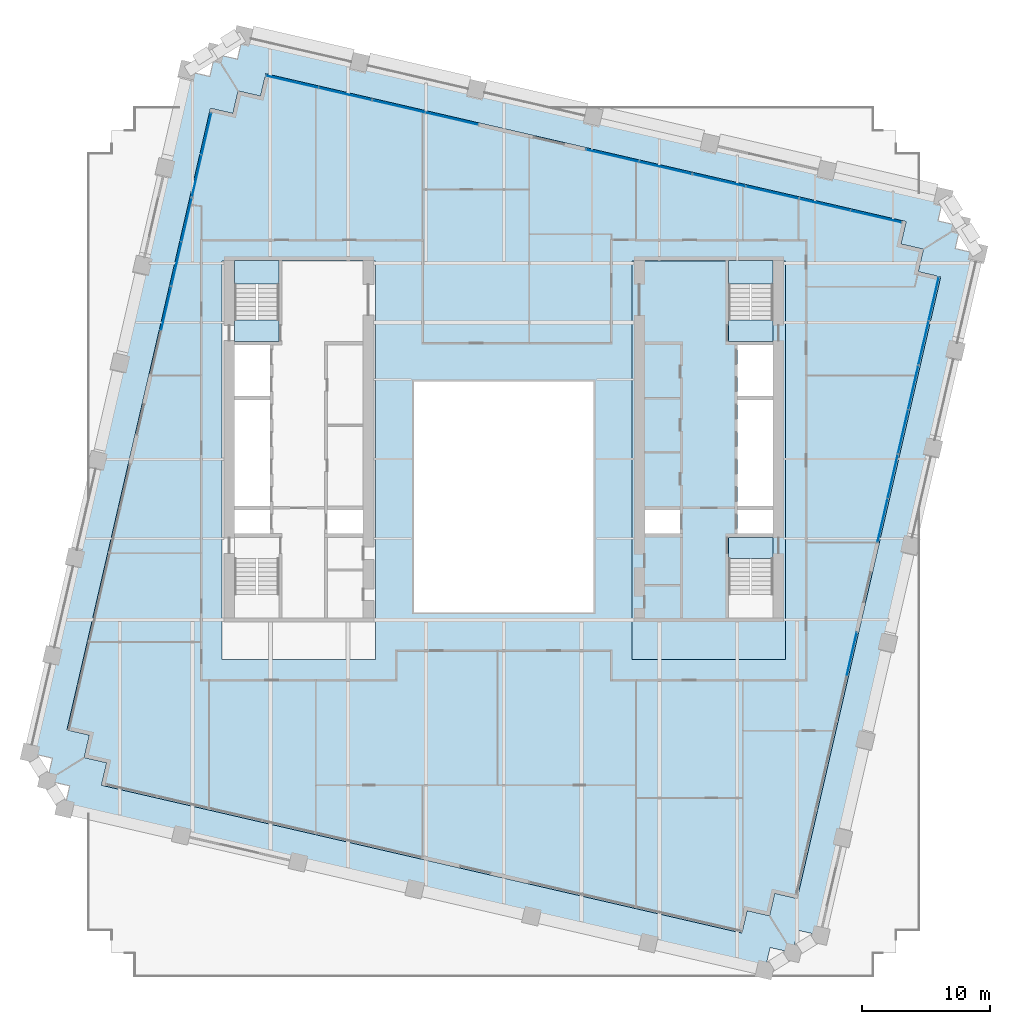
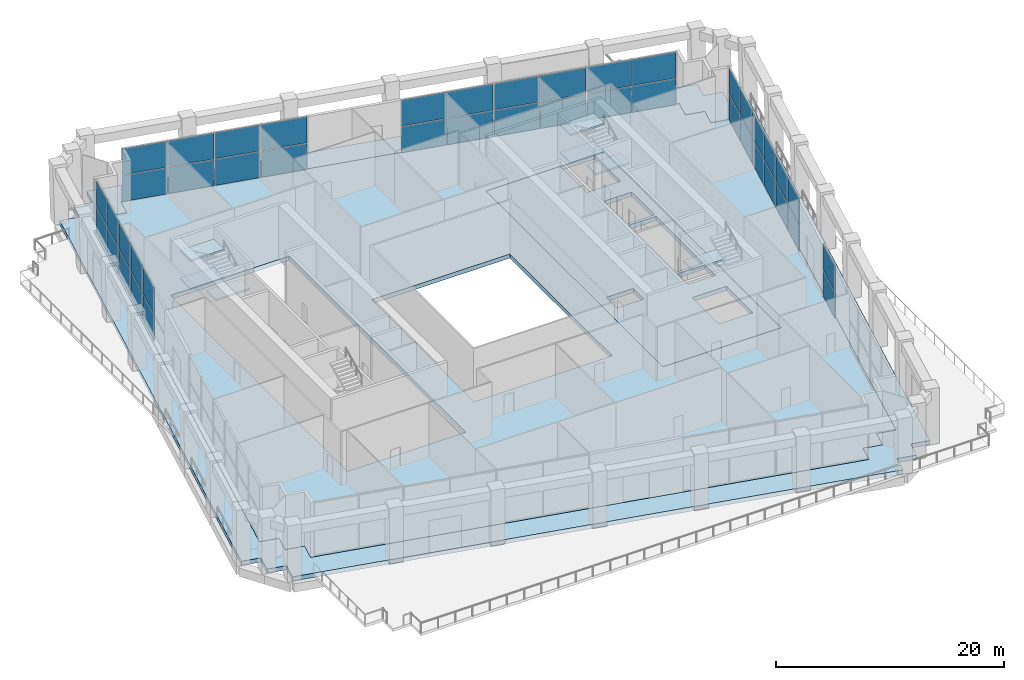
# One storey, part 13 of 23: 44 plates, 10 slabs, 15 elements without a shape of their own.
"""IFC4 building model written with IfcOpenShell, lengths in metres."""

from ifc_helpers import new_model, si_unit, direction, frame, origin, origin_2d, place, context, subcontext, project, spatial, polyline, rectangle, outline, extrude, material, layer, layer_set, type_object, element, aggregate, save


model = new_model("IFC4")

# Units and contexts
model_context = context("Model", 3, precision=1e-05, world=origin(), true_north=direction((0.0, 1.0)))
body_context = subcontext(model_context, "Body", "Model", "MODEL_VIEW")
ifc_project = project(units=[si_unit("LENGTHUNIT", "METRE"), si_unit("AREAUNIT", "SQUARE_METRE"), si_unit("VOLUMEUNIT", "CUBIC_METRE"), si_unit("PLANEANGLEUNIT", "RADIAN"), si_unit("MASSUNIT", "GRAM", prefix="KILO")], contexts=[model_context])

# Site, building, storey
site_placement = place(None, origin())
site = spatial("IfcSite", under=ifc_project, at=site_placement, CompositionType="ELEMENT")
building_placement = place(site_placement, origin())
building = spatial("IfcBuilding", under=site, at=building_placement, Name="Ogive Exchange Tower", CompositionType="ELEMENT")
storey_placement = place(building_placement, frame((0.0, 0.0, 99.60009765625)))
storey = spatial("IfcBuildingStorey", under=building, at=storey_placement, Name="L21", CompositionType="ELEMENT", Elevation=99.60009765625)

# Curtain wall, plates
ifc_material_1 = material(Name="Anodised aluminium and clear glass", Category="aluminium")
curtain_wall_type = type_object("IfcCurtainWallType", Name="Sky lobby glazing", PredefinedType="NOTDEFINED", material=ifc_material_1)
curtain_wall_1_placement = place(storey_placement, origin())
curtain_wall_1 = element("IfcCurtainWall", 1, at=curtain_wall_1_placement, inside=storey, type_object=curtain_wall_type, Name="Sky lobby glazing run G9", PredefinedType="NOTDEFINED")
ifc_material_2 = material(Name="Clear glass", Category="glass")
ifc_layer_1 = layer(ifc_material_2, 0.031982421875)
ifc_layer_set_1 = layer_set([ifc_layer_1], Name="Clear low-emissivity glass panel 32")
plate_type = type_object("IfcPlateType", Name="Clear low-emissivity glass panel 32", PredefinedType="CURTAIN_PANEL", material=ifc_layer_set_1)
plate_1_placement = place(storey_placement, frame((27.14990234375, -5.261962890625, 0.06982421875), z_axis=(0.0, 0.0, 1.0), x_axis=(0.224953950051, 0.974369396254, 0.0)))
plate_1 = element("IfcPlate", 2, at=plate_1_placement, type_object=plate_type, Name="G9 panel 2.1", PredefinedType="CURTAIN_PANEL", context=body_context, shape_type="SweptSolid", body=[
    extrude(rectangle(XDim=3.4521484375, YDim=0.031982421875, at=origin_2d()), origin(), (0.0, 0.0, 1.0), 2.794921875),
])
plate_2_placement = place(storey_placement, frame((27.14990234375, -5.261962890625, 2.93505859375), z_axis=(0.0, 0.0, 1.0), x_axis=(0.224953950051, 0.974369396254, 0.0)))
plate_2 = element("IfcPlate", 3, at=plate_2_placement, type_object=plate_type, Name="G9 panel 2.2", PredefinedType="CURTAIN_PANEL", context=body_context, shape_type="SweptSolid", body=[
    extrude(rectangle(XDim=3.4521484375, YDim=0.031982421875, at=origin_2d()), origin(), (0.0, 0.0, 1.0), 2.794921875),
])
aggregate(curtain_wall_1, [plate_1, plate_2])

curtain_wall_2_placement = place(storey_placement, origin())
curtain_wall_2 = element("IfcCurtainWall", 4, at=curtain_wall_2_placement, inside=storey, type_object=curtain_wall_type, Name="Sky lobby glazing run G11", PredefinedType="NOTDEFINED")
plate_3_placement = place(storey_placement, frame((29.558349609375, 5.169921875, 0.06982421875), z_axis=(0.0, 0.0, 1.0), x_axis=(0.224943685993, 0.974371765874, 0.0)))
plate_3 = element("IfcPlate", 5, at=plate_3_placement, type_object=plate_type, Name="G11 panel 1.1", PredefinedType="CURTAIN_PANEL", context=body_context, shape_type="SweptSolid", body=[
    extrude(rectangle(XDim=3.4521484375, YDim=0.031982421875, at=origin_2d()), origin(), (0.0, 0.0, 1.0), 2.794921875),
])
plate_4_placement = place(storey_placement, frame((29.558349609375, 5.169921875, 2.93505859375), z_axis=(0.0, 0.0, 1.0), x_axis=(0.224943685993, 0.974371765874, 0.0)))
plate_4 = element("IfcPlate", 6, at=plate_4_placement, type_object=plate_type, Name="G11 panel 1.2", PredefinedType="CURTAIN_PANEL", context=body_context, shape_type="SweptSolid", body=[
    extrude(rectangle(XDim=3.4521484375, YDim=0.031982421875, at=origin_2d()), origin(), (0.0, 0.0, 1.0), 2.794921875),
])
plate_5_placement = place(storey_placement, frame((30.3505859375, 8.601806640625, 0.06982421875), z_axis=(0.0, 0.0, 1.0), x_axis=(0.224943685993, 0.974371765874, 0.0)))
plate_5 = element("IfcPlate", 7, at=plate_5_placement, type_object=plate_type, Name="G11 panel 2.1", PredefinedType="CURTAIN_PANEL", context=body_context, shape_type="SweptSolid", body=[
    extrude(rectangle(XDim=3.4521484375, YDim=0.031982421875, at=origin_2d()), origin(), (0.0, 0.0, 1.0), 2.794921875),
])
plate_6_placement = place(storey_placement, frame((30.3505859375, 8.601806640625, 2.93505859375), z_axis=(0.0, 0.0, 1.0), x_axis=(0.224943685993, 0.974371765874, 0.0)))
plate_6 = element("IfcPlate", 8, at=plate_6_placement, type_object=plate_type, Name="G11 panel 2.2", PredefinedType="CURTAIN_PANEL", context=body_context, shape_type="SweptSolid", body=[
    extrude(rectangle(XDim=3.4521484375, YDim=0.031982421875, at=origin_2d()), origin(), (0.0, 0.0, 1.0), 2.794921875),
])
aggregate(curtain_wall_2, [plate_3, plate_4, plate_5, plate_6])

curtain_wall_3_placement = place(storey_placement, origin())
curtain_wall_3 = element("IfcCurtainWall", 9, at=curtain_wall_3_placement, inside=storey, type_object=curtain_wall_type, Name="Sky lobby glazing run G12", PredefinedType="NOTDEFINED")
plate_7_placement = place(storey_placement, frame((31.15869140625, 12.101806640625, 0.06982421875), z_axis=(0.0, 0.0, 1.0), x_axis=(0.224953950051, 0.974369396254, 0.0)))
plate_7 = element("IfcPlate", 10, at=plate_7_placement, type_object=plate_type, Name="G12 panel 1.1", PredefinedType="CURTAIN_PANEL", context=body_context, shape_type="SweptSolid", body=[
    extrude(rectangle(XDim=3.4521484375, YDim=0.031982421875, at=origin_2d()), origin(), (0.0, 0.0, 1.0), 2.794921875),
])
plate_8_placement = place(storey_placement, frame((31.15869140625, 12.101806640625, 2.93505859375), z_axis=(0.0, 0.0, 1.0), x_axis=(0.224953950051, 0.974369396254, 0.0)))
plate_8 = element("IfcPlate", 11, at=plate_8_placement, type_object=plate_type, Name="G12 panel 1.2", PredefinedType="CURTAIN_PANEL", context=body_context, shape_type="SweptSolid", body=[
    extrude(rectangle(XDim=3.4521484375, YDim=0.031982421875, at=origin_2d()), origin(), (0.0, 0.0, 1.0), 2.794921875),
])
plate_9_placement = place(storey_placement, frame((31.951171875, 15.53369140625, 0.06982421875), z_axis=(0.0, 0.0, 1.0), x_axis=(0.224953950051, 0.974369396254, 0.0)))
plate_9 = element("IfcPlate", 12, at=plate_9_placement, type_object=plate_type, Name="G12 panel 2.1", PredefinedType="CURTAIN_PANEL", context=body_context, shape_type="SweptSolid", body=[
    extrude(rectangle(XDim=3.4521484375, YDim=0.031982421875, at=origin_2d()), origin(), (0.0, 0.0, 1.0), 2.794921875),
])
plate_10_placement = place(storey_placement, frame((31.951171875, 15.53369140625, 2.93505859375), z_axis=(0.0, 0.0, 1.0), x_axis=(0.224953950051, 0.974369396254, 0.0)))
plate_10 = element("IfcPlate", 13, at=plate_10_placement, type_object=plate_type, Name="G12 panel 2.2", PredefinedType="CURTAIN_PANEL", context=body_context, shape_type="SweptSolid", body=[
    extrude(rectangle(XDim=3.4521484375, YDim=0.031982421875, at=origin_2d()), origin(), (0.0, 0.0, 1.0), 2.794921875),
])
aggregate(curtain_wall_3, [plate_7, plate_8, plate_9, plate_10])

curtain_wall_4_placement = place(storey_placement, origin())
curtain_wall_4 = element("IfcCurtainWall", 14, at=curtain_wall_4_placement, inside=storey, type_object=curtain_wall_type, Name="Sky lobby glazing run G13", PredefinedType="NOTDEFINED")
plate_11_placement = place(storey_placement, frame((32.759033203125, 19.033935546875, 0.06982421875), z_axis=(0.0, 0.0, 1.0), x_axis=(0.224957031035, 0.974368684938, 0.0)))
plate_11 = element("IfcPlate", 15, at=plate_11_placement, type_object=plate_type, Name="G13 panel 1.1", PredefinedType="CURTAIN_PANEL", context=body_context, shape_type="SweptSolid", body=[
    extrude(rectangle(XDim=3.4521484375, YDim=0.031982421875, at=origin_2d()), origin(), (0.0, 0.0, 1.0), 2.794921875),
])
plate_12_placement = place(storey_placement, frame((32.759033203125, 19.033935546875, 2.93505859375), z_axis=(0.0, 0.0, 1.0), x_axis=(0.224957031035, 0.974368684938, 0.0)))
plate_12 = element("IfcPlate", 16, at=plate_12_placement, type_object=plate_type, Name="G13 panel 1.2", PredefinedType="CURTAIN_PANEL", context=body_context, shape_type="SweptSolid", body=[
    extrude(rectangle(XDim=3.4521484375, YDim=0.031982421875, at=origin_2d()), origin(), (0.0, 0.0, 1.0), 2.794921875),
])
plate_13_placement = place(storey_placement, frame((33.551513671875, 22.465576171875, 0.06982421875), z_axis=(0.0, 0.0, 1.0), x_axis=(0.224957031035, 0.974368684938, 0.0)))
plate_13 = element("IfcPlate", 17, at=plate_13_placement, type_object=plate_type, Name="G13 panel 2.1", PredefinedType="CURTAIN_PANEL", context=body_context, shape_type="SweptSolid", body=[
    extrude(rectangle(XDim=3.4521484375, YDim=0.031982421875, at=origin_2d()), origin(), (0.0, 0.0, 1.0), 2.794921875),
])
plate_14_placement = place(storey_placement, frame((33.551513671875, 22.465576171875, 2.93505859375), z_axis=(0.0, 0.0, 1.0), x_axis=(0.224957031035, 0.974368684938, 0.0)))
plate_14 = element("IfcPlate", 18, at=plate_14_placement, type_object=plate_type, Name="G13 panel 2.2", PredefinedType="CURTAIN_PANEL", context=body_context, shape_type="SweptSolid", body=[
    extrude(rectangle(XDim=3.4521484375, YDim=0.031982421875, at=origin_2d()), origin(), (0.0, 0.0, 1.0), 2.794921875),
])
aggregate(curtain_wall_4, [plate_11, plate_12, plate_13, plate_14])

curtain_wall_5_placement = place(storey_placement, origin())
curtain_wall_5 = element("IfcCurtainWall", 19, at=curtain_wall_5_placement, inside=storey, type_object=curtain_wall_type, Name="Sky lobby glazing run G14", PredefinedType="NOTDEFINED")
plate_15_placement = place(storey_placement, frame((29.051025390625, 28.888671875, 0.06982421875), z_axis=(0.0, 0.0, 1.0), x_axis=(-0.974370966882, 0.224947146898, 0.0)))
plate_15 = element("IfcPlate", 20, at=plate_15_placement, type_object=plate_type, Name="G14 panel 1.1", PredefinedType="CURTAIN_PANEL", context=body_context, shape_type="SweptSolid", body=[
    extrude(rectangle(XDim=4.02001953125, YDim=0.031982421875, at=origin_2d()), origin(), (0.0, 0.0, 1.0), 2.794921875),
])
plate_16_placement = place(storey_placement, frame((29.051025390625, 28.888671875, 2.93505859375), z_axis=(0.0, 0.0, 1.0), x_axis=(-0.974370966882, 0.224947146898, 0.0)))
plate_16 = element("IfcPlate", 21, at=plate_16_placement, type_object=plate_type, Name="G14 panel 1.2", PredefinedType="CURTAIN_PANEL", context=body_context, shape_type="SweptSolid", body=[
    extrude(rectangle(XDim=4.02001953125, YDim=0.031982421875, at=origin_2d()), origin(), (0.0, 0.0, 1.0), 2.794921875),
])
plate_17_placement = place(storey_placement, frame((25.065673828125, 29.808837890625, 0.06982421875), z_axis=(0.0, 0.0, 1.0), x_axis=(-0.974370966882, 0.224947146898, 0.0)))
plate_17 = element("IfcPlate", 22, at=plate_17_placement, type_object=plate_type, Name="G14 panel 2.1", PredefinedType="CURTAIN_PANEL", context=body_context, shape_type="SweptSolid", body=[
    extrude(rectangle(XDim=4.02001953125, YDim=0.031982421875, at=origin_2d()), origin(), (0.0, 0.0, 1.0), 2.794921875),
])
plate_18_placement = place(storey_placement, frame((25.065673828125, 29.808837890625, 2.93505859375), z_axis=(0.0, 0.0, 1.0), x_axis=(-0.974370966882, 0.224947146898, 0.0)))
plate_18 = element("IfcPlate", 23, at=plate_18_placement, type_object=plate_type, Name="G14 panel 2.2", PredefinedType="CURTAIN_PANEL", context=body_context, shape_type="SweptSolid", body=[
    extrude(rectangle(XDim=4.02001953125, YDim=0.031982421875, at=origin_2d()), origin(), (0.0, 0.0, 1.0), 2.794921875),
])
aggregate(curtain_wall_5, [plate_15, plate_16, plate_17, plate_18])

curtain_wall_6_placement = place(storey_placement, origin())
curtain_wall_6 = element("IfcCurtainWall", 24, at=curtain_wall_6_placement, inside=storey, type_object=curtain_wall_type, Name="Sky lobby glazing run G15", PredefinedType="NOTDEFINED")
plate_19_placement = place(storey_placement, frame((20.939208984375, 30.761474609375, 0.06982421875), z_axis=(0.0, 0.0, 1.0), x_axis=(-0.974368521846, 0.224957737445, 0.0)))
plate_19 = element("IfcPlate", 25, at=plate_19_placement, type_object=plate_type, Name="G15 panel 1.1", PredefinedType="CURTAIN_PANEL", context=body_context, shape_type="SweptSolid", body=[
    extrude(rectangle(XDim=4.169921875, YDim=0.031982421875, at=origin_2d()), origin(), (0.0, 0.0, 1.0), 2.794921875),
])
plate_20_placement = place(storey_placement, frame((20.939208984375, 30.761474609375, 2.93505859375), z_axis=(0.0, 0.0, 1.0), x_axis=(-0.974368521846, 0.224957737445, 0.0)))
plate_20 = element("IfcPlate", 26, at=plate_20_placement, type_object=plate_type, Name="G15 panel 1.2", PredefinedType="CURTAIN_PANEL", context=body_context, shape_type="SweptSolid", body=[
    extrude(rectangle(XDim=4.169921875, YDim=0.031982421875, at=origin_2d()), origin(), (0.0, 0.0, 1.0), 2.794921875),
])
plate_21_placement = place(storey_placement, frame((16.807861328125, 31.71533203125, 0.06982421875), z_axis=(0.0, 0.0, 1.0), x_axis=(-0.974368521846, 0.224957737445, 0.0)))
plate_21 = element("IfcPlate", 27, at=plate_21_placement, type_object=plate_type, Name="G15 panel 2.1", PredefinedType="CURTAIN_PANEL", context=body_context, shape_type="SweptSolid", body=[
    extrude(rectangle(XDim=4.169921875, YDim=0.031982421875, at=origin_2d()), origin(), (0.0, 0.0, 1.0), 2.794921875),
])
plate_22_placement = place(storey_placement, frame((16.807861328125, 31.71533203125, 2.93505859375), z_axis=(0.0, 0.0, 1.0), x_axis=(-0.974368521846, 0.224957737445, 0.0)))
plate_22 = element("IfcPlate", 28, at=plate_22_placement, type_object=plate_type, Name="G15 panel 2.2", PredefinedType="CURTAIN_PANEL", context=body_context, shape_type="SweptSolid", body=[
    extrude(rectangle(XDim=4.169921875, YDim=0.031982421875, at=origin_2d()), origin(), (0.0, 0.0, 1.0), 2.794921875),
])
aggregate(curtain_wall_6, [plate_19, plate_20, plate_21, plate_22])

curtain_wall_7_placement = place(storey_placement, origin())
curtain_wall_7 = element("IfcCurtainWall", 29, at=curtain_wall_7_placement, inside=storey, type_object=curtain_wall_type, Name="Sky lobby glazing run G16", PredefinedType="NOTDEFINED")
plate_23_placement = place(storey_placement, frame((12.6083984375, 32.684814453125, 0.06982421875), z_axis=(0.0, 0.0, 1.0), x_axis=(-0.974370493588, 0.224949196986, 0.0)))
plate_23 = element("IfcPlate", 30, at=plate_23_placement, type_object=plate_type, Name="G16 panel 1.1", PredefinedType="CURTAIN_PANEL", context=body_context, shape_type="SweptSolid", body=[
    extrude(rectangle(XDim=4.169921875, YDim=0.031982421875, at=origin_2d()), origin(), (0.0, 0.0, 1.0), 2.794921875),
])
plate_24_placement = place(storey_placement, frame((12.6083984375, 32.684814453125, 2.93505859375), z_axis=(0.0, 0.0, 1.0), x_axis=(-0.974370493588, 0.224949196986, 0.0)))
plate_24 = element("IfcPlate", 31, at=plate_24_placement, type_object=plate_type, Name="G16 panel 1.2", PredefinedType="CURTAIN_PANEL", context=body_context, shape_type="SweptSolid", body=[
    extrude(rectangle(XDim=4.169921875, YDim=0.031982421875, at=origin_2d()), origin(), (0.0, 0.0, 1.0), 2.794921875),
])
plate_25_placement = place(storey_placement, frame((8.47705078125, 33.638671875, 0.06982421875), z_axis=(0.0, 0.0, 1.0), x_axis=(-0.974370493588, 0.224949196986, 0.0)))
plate_25 = element("IfcPlate", 32, at=plate_25_placement, type_object=plate_type, Name="G16 panel 2.1", PredefinedType="CURTAIN_PANEL", context=body_context, shape_type="SweptSolid", body=[
    extrude(rectangle(XDim=4.169921875, YDim=0.031982421875, at=origin_2d()), origin(), (0.0, 0.0, 1.0), 2.794921875),
])
plate_26_placement = place(storey_placement, frame((8.47705078125, 33.638671875, 2.93505859375), z_axis=(0.0, 0.0, 1.0), x_axis=(-0.974370493588, 0.224949196986, 0.0)))
plate_26 = element("IfcPlate", 33, at=plate_26_placement, type_object=plate_type, Name="G16 panel 2.2", PredefinedType="CURTAIN_PANEL", context=body_context, shape_type="SweptSolid", body=[
    extrude(rectangle(XDim=4.169921875, YDim=0.031982421875, at=origin_2d()), origin(), (0.0, 0.0, 1.0), 2.794921875),
])
aggregate(curtain_wall_7, [plate_23, plate_24, plate_25, plate_26])

curtain_wall_8_placement = place(storey_placement, origin())
curtain_wall_8 = element("IfcCurtainWall", 34, at=curtain_wall_8_placement, inside=storey, type_object=curtain_wall_type, Name="Sky lobby glazing run G18", PredefinedType="NOTDEFINED")
plate_27_placement = place(storey_placement, frame((-4.05322265625, 36.531494140625, 0.06982421875), z_axis=(0.0, 0.0, 1.0), x_axis=(-0.974368521846, 0.224957737445, 0.0)))
plate_27 = element("IfcPlate", 35, at=plate_27_placement, type_object=plate_type, Name="G18 panel 1.1", PredefinedType="CURTAIN_PANEL", context=body_context, shape_type="SweptSolid", body=[
    extrude(rectangle(XDim=4.169921875, YDim=0.031982421875, at=origin_2d()), origin(), (0.0, 0.0, 1.0), 2.794921875),
])
plate_28_placement = place(storey_placement, frame((-4.05322265625, 36.531494140625, 2.93505859375), z_axis=(0.0, 0.0, 1.0), x_axis=(-0.974368521846, 0.224957737445, 0.0)))
plate_28 = element("IfcPlate", 36, at=plate_28_placement, type_object=plate_type, Name="G18 panel 1.2", PredefinedType="CURTAIN_PANEL", context=body_context, shape_type="SweptSolid", body=[
    extrude(rectangle(XDim=4.169921875, YDim=0.031982421875, at=origin_2d()), origin(), (0.0, 0.0, 1.0), 2.794921875),
])
plate_29_placement = place(storey_placement, frame((-8.1845703125, 37.4853515625, 0.06982421875), z_axis=(0.0, 0.0, 1.0), x_axis=(-0.974368521846, 0.224957737445, 0.0)))
plate_29 = element("IfcPlate", 37, at=plate_29_placement, type_object=plate_type, Name="G18 panel 2.1", PredefinedType="CURTAIN_PANEL", context=body_context, shape_type="SweptSolid", body=[
    extrude(rectangle(XDim=4.169921875, YDim=0.031982421875, at=origin_2d()), origin(), (0.0, 0.0, 1.0), 2.794921875),
])
plate_30_placement = place(storey_placement, frame((-8.1845703125, 37.4853515625, 2.93505859375), z_axis=(0.0, 0.0, 1.0), x_axis=(-0.974368521846, 0.224957737445, 0.0)))
plate_30 = element("IfcPlate", 38, at=plate_30_placement, type_object=plate_type, Name="G18 panel 2.2", PredefinedType="CURTAIN_PANEL", context=body_context, shape_type="SweptSolid", body=[
    extrude(rectangle(XDim=4.169921875, YDim=0.031982421875, at=origin_2d()), origin(), (0.0, 0.0, 1.0), 2.794921875),
])
aggregate(curtain_wall_8, [plate_27, plate_28, plate_29, plate_30])

curtain_wall_9_placement = place(storey_placement, origin())
curtain_wall_9 = element("IfcCurtainWall", 39, at=curtain_wall_9_placement, inside=storey, type_object=curtain_wall_type, Name="Sky lobby glazing run G19", PredefinedType="NOTDEFINED")
plate_31_placement = place(storey_placement, frame((-12.384033203125, 38.454833984375, 0.06982421875), z_axis=(0.0, 0.0, 1.0), x_axis=(-0.974370493588, 0.224949196986, 0.0)))
plate_31 = element("IfcPlate", 40, at=plate_31_placement, type_object=plate_type, Name="G19 panel 1.1", PredefinedType="CURTAIN_PANEL", context=body_context, shape_type="SweptSolid", body=[
    extrude(rectangle(XDim=4.169921875, YDim=0.031982421875, at=origin_2d()), origin(), (0.0, 0.0, 1.0), 2.794921875),
])
plate_32_placement = place(storey_placement, frame((-12.384033203125, 38.454833984375, 2.93505859375), z_axis=(0.0, 0.0, 1.0), x_axis=(-0.974370493588, 0.224949196986, 0.0)))
plate_32 = element("IfcPlate", 41, at=plate_32_placement, type_object=plate_type, Name="G19 panel 1.2", PredefinedType="CURTAIN_PANEL", context=body_context, shape_type="SweptSolid", body=[
    extrude(rectangle(XDim=4.169921875, YDim=0.031982421875, at=origin_2d()), origin(), (0.0, 0.0, 1.0), 2.794921875),
])
plate_33_placement = place(storey_placement, frame((-16.515380859375, 39.40869140625, 0.06982421875), z_axis=(0.0, 0.0, 1.0), x_axis=(-0.974370493588, 0.224949196986, 0.0)))
plate_33 = element("IfcPlate", 42, at=plate_33_placement, type_object=plate_type, Name="G19 panel 2.1", PredefinedType="CURTAIN_PANEL", context=body_context, shape_type="SweptSolid", body=[
    extrude(rectangle(XDim=4.169921875, YDim=0.031982421875, at=origin_2d()), origin(), (0.0, 0.0, 1.0), 2.794921875),
])
plate_34_placement = place(storey_placement, frame((-16.515380859375, 39.40869140625, 2.93505859375), z_axis=(0.0, 0.0, 1.0), x_axis=(-0.974370493588, 0.224949196986, 0.0)))
plate_34 = element("IfcPlate", 43, at=plate_34_placement, type_object=plate_type, Name="G19 panel 2.2", PredefinedType="CURTAIN_PANEL", context=body_context, shape_type="SweptSolid", body=[
    extrude(rectangle(XDim=4.169921875, YDim=0.031982421875, at=origin_2d()), origin(), (0.0, 0.0, 1.0), 2.794921875),
])
aggregate(curtain_wall_9, [plate_31, plate_32, plate_33, plate_34])

curtain_wall_10_placement = place(storey_placement, origin())
curtain_wall_10 = element("IfcCurtainWall", 44, at=curtain_wall_10_placement, inside=storey, type_object=curtain_wall_type, Name="Sky lobby glazing run G20", PredefinedType="NOTDEFINED")
plate_35_placement = place(storey_placement, frame((-23.20751953125, 35.338623046875, 0.06982421875), z_axis=(0.0, 0.0, 1.0), x_axis=(-0.224951677306, -0.974369920963, 0.0)))
plate_35 = element("IfcPlate", 45, at=plate_35_placement, type_object=plate_type, Name="G20 panel 1.1", PredefinedType="CURTAIN_PANEL", context=body_context, shape_type="SweptSolid", body=[
    extrude(rectangle(XDim=3.30224609375, YDim=0.031982421875, at=origin_2d()), origin(), (0.0, 0.0, 1.0), 2.794921875),
])
plate_36_placement = place(storey_placement, frame((-23.20751953125, 35.338623046875, 2.93505859375), z_axis=(0.0, 0.0, 1.0), x_axis=(-0.224951677306, -0.974369920963, 0.0)))
plate_36 = element("IfcPlate", 46, at=plate_36_placement, type_object=plate_type, Name="G20 panel 1.2", PredefinedType="CURTAIN_PANEL", context=body_context, shape_type="SweptSolid", body=[
    extrude(rectangle(XDim=3.30224609375, YDim=0.031982421875, at=origin_2d()), origin(), (0.0, 0.0, 1.0), 2.794921875),
])
plate_37_placement = place(storey_placement, frame((-23.966064453125, 32.052978515625, 0.06982421875), z_axis=(0.0, 0.0, 1.0), x_axis=(-0.224951677306, -0.974369920963, 0.0)))
plate_37 = element("IfcPlate", 47, at=plate_37_placement, type_object=plate_type, Name="G20 panel 2.1", PredefinedType="CURTAIN_PANEL", context=body_context, shape_type="SweptSolid", body=[
    extrude(rectangle(XDim=3.30224609375, YDim=0.031982421875, at=origin_2d()), origin(), (0.0, 0.0, 1.0), 2.794921875),
])
plate_38_placement = place(storey_placement, frame((-23.966064453125, 32.052978515625, 2.93505859375), z_axis=(0.0, 0.0, 1.0), x_axis=(-0.224951677306, -0.974369920963, 0.0)))
plate_38 = element("IfcPlate", 48, at=plate_38_placement, type_object=plate_type, Name="G20 panel 2.2", PredefinedType="CURTAIN_PANEL", context=body_context, shape_type="SweptSolid", body=[
    extrude(rectangle(XDim=3.30224609375, YDim=0.031982421875, at=origin_2d()), origin(), (0.0, 0.0, 1.0), 2.794921875),
])
aggregate(curtain_wall_10, [plate_35, plate_36, plate_37, plate_38])

curtain_wall_11_placement = place(storey_placement, origin())
curtain_wall_11 = element("IfcCurtainWall", 49, at=curtain_wall_11_placement, inside=storey, type_object=curtain_wall_type, Name="Sky lobby glazing run G21", PredefinedType="NOTDEFINED")
plate_39_placement = place(storey_placement, frame((-24.75732421875, 28.6259765625, 0.06982421875), z_axis=(0.0, 0.0, 1.0), x_axis=(-0.224943685993, -0.974371765874, 0.0)))
plate_39 = element("IfcPlate", 50, at=plate_39_placement, type_object=plate_type, Name="G21 panel 1.1", PredefinedType="CURTAIN_PANEL", context=body_context, shape_type="SweptSolid", body=[
    extrude(rectangle(XDim=3.4521484375, YDim=0.031982421875, at=origin_2d()), origin(), (0.0, 0.0, 1.0), 2.794921875),
])
plate_40_placement = place(storey_placement, frame((-24.75732421875, 28.6259765625, 2.93505859375), z_axis=(0.0, 0.0, 1.0), x_axis=(-0.224943685993, -0.974371765874, 0.0)))
plate_40 = element("IfcPlate", 51, at=plate_40_placement, type_object=plate_type, Name="G21 panel 1.2", PredefinedType="CURTAIN_PANEL", context=body_context, shape_type="SweptSolid", body=[
    extrude(rectangle(XDim=3.4521484375, YDim=0.031982421875, at=origin_2d()), origin(), (0.0, 0.0, 1.0), 2.794921875),
])
plate_41_placement = place(storey_placement, frame((-25.549560546875, 25.194091796875, 0.06982421875), z_axis=(0.0, 0.0, 1.0), x_axis=(-0.224943685993, -0.974371765874, 0.0)))
plate_41 = element("IfcPlate", 52, at=plate_41_placement, type_object=plate_type, Name="G21 panel 2.1", PredefinedType="CURTAIN_PANEL", context=body_context, shape_type="SweptSolid", body=[
    extrude(rectangle(XDim=3.4521484375, YDim=0.031982421875, at=origin_2d()), origin(), (0.0, 0.0, 1.0), 2.794921875),
])
plate_42_placement = place(storey_placement, frame((-25.549560546875, 25.194091796875, 2.93505859375), z_axis=(0.0, 0.0, 1.0), x_axis=(-0.224943685993, -0.974371765874, 0.0)))
plate_42 = element("IfcPlate", 53, at=plate_42_placement, type_object=plate_type, Name="G21 panel 2.2", PredefinedType="CURTAIN_PANEL", context=body_context, shape_type="SweptSolid", body=[
    extrude(rectangle(XDim=3.4521484375, YDim=0.031982421875, at=origin_2d()), origin(), (0.0, 0.0, 1.0), 2.794921875),
])
aggregate(curtain_wall_11, [plate_39, plate_40, plate_41, plate_42])

curtain_wall_12_placement = place(storey_placement, origin())
curtain_wall_12 = element("IfcCurtainWall", 54, at=curtain_wall_12_placement, inside=storey, type_object=curtain_wall_type, Name="Sky lobby glazing run G22", PredefinedType="NOTDEFINED")
plate_43_placement = place(storey_placement, frame((-26.357666015625, 21.69384765625, 0.06982421875), z_axis=(0.0, 0.0, 1.0), x_axis=(-0.224953950051, -0.974369396254, 0.0)))
plate_43 = element("IfcPlate", 55, at=plate_43_placement, type_object=plate_type, Name="G22 panel 1.1", PredefinedType="CURTAIN_PANEL", context=body_context, shape_type="SweptSolid", body=[
    extrude(rectangle(XDim=3.4521484375, YDim=0.031982421875, at=origin_2d()), origin(), (0.0, 0.0, 1.0), 2.794921875),
])
plate_44_placement = place(storey_placement, frame((-26.357666015625, 21.69384765625, 2.93505859375), z_axis=(0.0, 0.0, 1.0), x_axis=(-0.224953950051, -0.974369396254, 0.0)))
plate_44 = element("IfcPlate", 56, at=plate_44_placement, type_object=plate_type, Name="G22 panel 1.2", PredefinedType="CURTAIN_PANEL", context=body_context, shape_type="SweptSolid", body=[
    extrude(rectangle(XDim=3.4521484375, YDim=0.031982421875, at=origin_2d()), origin(), (0.0, 0.0, 1.0), 2.794921875),
])
aggregate(curtain_wall_12, [plate_43, plate_44])

# Slabs
ifc_material_3 = material(Name="Concrete C70/85", Category="concrete")
ifc_layer_2 = layer(ifc_material_3, 0.449951171875)
ifc_layer_set_2 = layer_set([ifc_layer_2], Name="Core floor slab 450")
slab_type_1 = type_object("IfcSlabType", Name="Core floor slab 450", PredefinedType="FLOOR", material=ifc_layer_set_2)
slab_1_placement = place(storey_placement, frame((0.0, 0.0, -0.4501953125)))
element("IfcSlab", 57, at=slab_1_placement, inside=storey, type_object=slab_type_1, Name="Core floor slab", PredefinedType="FLOOR", context=body_context, shape_type="SweptSolid", body=[
    extrude(outline(polyline([(22.0, 25.39990234375), (22.0, -5.699951171875), (10.0, -5.699951171875), (10.0, 25.39990234375), (17.550048828125, 25.39990234375), (17.550048828125, 20.803955078125), (21.0, 20.803955078125), (21.0, 25.39990234375), (22.0, 25.39990234375)]), holes=[polyline([(21.0, 2.196044921875), (17.550048828125, 2.196044921875), (17.550048828125, -2.449951171875), (21.0, -2.449951171875), (21.0, 2.196044921875)]), polyline([(13.75, 5.992919921875), (11.0, 5.992919921875), (11.0, 4.14990234375), (13.75, 4.14990234375), (13.75, 5.992919921875)]), polyline([(21.0, 5.992919921875), (18.25, 5.992919921875), (18.25, 4.14990234375), (21.0, 4.14990234375), (21.0, 5.992919921875)]), polyline([(18.25, 14.564208984375), (18.25, 6.29296875), (21.0, 6.29296875), (21.0, 14.564208984375), (18.25, 14.564208984375)]), polyline([(21.0, 18.85009765625), (18.25, 18.85009765625), (18.25, 14.8642578125), (21.0, 14.8642578125), (21.0, 18.85009765625)])]), origin(), (0.0, 0.0, 1.0), 0.4501953125),
])
ifc_material_4 = material(Name="Concrete C50/60", Category="concrete")
ifc_layer_3 = layer(ifc_material_4, 0.449951171875)
ifc_layer_set_3 = layer_set([ifc_layer_3], Name="Loggia deck 450")
slab_type_2 = type_object("IfcSlabType", Name="Loggia deck 450", PredefinedType="FLOOR", material=ifc_layer_set_3)
slab_2_placement = place(storey_placement, frame((0.0, 0.0, -0.4501953125)))
element("IfcSlab", 58, at=slab_2_placement, inside=storey, type_object=slab_type_2, Name="Loggia deck", PredefinedType="FLOOR", context=body_context, shape_type="SweptSolid", body=[
    extrude(outline(polyline([(-35.631103515625, -15.139404296875), (-35.22607421875, -13.385498046875), (-36.97998046875, -12.980712890625), (-24.697509765625, 40.219970703125), (-22.94384765625, 39.815185546875), (-22.538818359375, 41.569091796875), (-20.784912109375, 41.1640625), (-20.380126953125, 42.91796875), (34.281982421875, 30.298095703125), (33.877197265625, 28.544189453125), (35.631103515625, 28.139404296875), (35.22607421875, 26.385498046875), (36.97998046875, 25.980712890625), (24.697509765625, -27.219970703125), (22.94384765625, -26.815185546875), (22.538818359375, -28.569091796875), (20.784912109375, -28.1640625), (20.380126953125, -29.91796875), (-34.281982421875, -17.298095703125), (-33.877197265625, -15.544189453125), (-35.631103515625, -15.139404296875)]), holes=[polyline([(18.986328125, -25.28564453125), (20.740234375, -25.690673828125), (21.145263671875, -23.936767578125), (22.89892578125, -24.341552734375), (34.1015625, 24.181884765625), (32.34765625, 24.5869140625), (32.752685546875, 26.3408203125), (30.998779296875, 26.74560546875), (31.40380859375, 28.49951171875), (-18.58154296875, 40.03955078125), (-18.986328125, 38.28564453125), (-20.740234375, 38.690673828125), (-21.145263671875, 36.936767578125), (-22.89892578125, 37.341552734375), (-34.1015625, -11.181884765625), (-32.34765625, -11.5869140625), (-32.752685546875, -13.3408203125), (-30.998779296875, -13.74560546875), (-31.40380859375, -15.49951171875), (18.58154296875, -27.03955078125), (18.986328125, -25.28564453125)])]), origin(), (0.0, 0.0, 1.0), 0.4501953125),
])

# Stair, slabs
ifc_material_5 = material(Name="Concrete C40/50", Category="concrete")
stair_type = type_object("IfcStairType", Name="Exit stair 1650 wide", PredefinedType="HALF_TURN_STAIR", material=ifc_material_5)
stair_1_placement = place(storey_placement, origin())
stair_1 = element("IfcStair", 59, at=stair_1_placement, inside=storey, type_object=stair_type, Name="L21 exit stair ST2", PredefinedType="HALF_TURN_STAIR")
ifc_layer_4 = layer(ifc_material_5, 0.199951171875)
ifc_layer_set_4 = layer_set([ifc_layer_4], Name="Stair landing 200 slab")
slab_type_3 = type_object("IfcSlabType", Name="Stair landing 200 slab", PredefinedType="LANDING", material=ifc_layer_set_4)
slab_3_placement = place(storey_placement, frame((0.0, 0.0, 1.2998046875)))
slab_3 = element("IfcSlab", 60, at=slab_3_placement, type_object=slab_type_3, Name="ST2 landing 1", PredefinedType="LANDING", context=body_context, shape_type="SweptSolid", body=[
    extrude(outline(polyline([(-17.550048828125, 23.60791015625), (-17.550048828125, 25.449951171875), (-21.0, 25.449951171875), (-21.0, 23.60791015625), (-17.550048828125, 23.60791015625)])), origin(), (0.0, 0.0, 1.0), 0.2001953125),
])
slab_4_placement = place(storey_placement, frame((0.0, 0.0, 2.7998046875)))
slab_4 = element("IfcSlab", 61, at=slab_4_placement, type_object=slab_type_3, Name="ST2 landing 2", PredefinedType="LANDING", context=body_context, shape_type="SweptSolid", body=[
    extrude(outline(polyline([(-17.550048828125, 19.14990234375), (-17.550048828125, 20.800048828125), (-21.0, 20.800048828125), (-21.0, 19.14990234375), (-17.550048828125, 19.14990234375)])), origin(), (0.0, 0.0, 1.0), 0.2001953125),
])
slab_5_placement = place(storey_placement, frame((0.0, 0.0, 4.2998046875)))
slab_5 = element("IfcSlab", 62, at=slab_5_placement, type_object=slab_type_3, Name="ST2 landing 3", PredefinedType="LANDING", context=body_context, shape_type="SweptSolid", body=[
    extrude(outline(polyline([(-17.550048828125, 23.60791015625), (-17.550048828125, 25.449951171875), (-21.0, 25.449951171875), (-21.0, 23.60791015625), (-17.550048828125, 23.60791015625)])), origin(), (0.0, 0.0, 1.0), 0.2001953125),
])
aggregate(stair_1, [slab_3, slab_4, slab_5])

# Stair, slab
stair_2_placement = place(storey_placement, origin())
stair_2 = element("IfcStair", 63, at=stair_2_placement, inside=storey, type_object=stair_type, Name="L21 exit stair ST3", PredefinedType="HALF_TURN_STAIR")
slab_6_placement = place(storey_placement, frame((0.0, 0.0, 2.7998046875)))
slab_6 = element("IfcSlab", 64, at=slab_6_placement, type_object=slab_type_3, Name="ST3 landing 2", PredefinedType="LANDING", context=body_context, shape_type="SweptSolid", body=[
    extrude(outline(polyline([(17.550048828125, 3.85009765625), (17.550048828125, 2.199951171875), (21.0, 2.199951171875), (21.0, 3.85009765625), (17.550048828125, 3.85009765625)])), origin(), (0.0, 0.0, 1.0), 0.2001953125),
])
aggregate(stair_2, [slab_6])

# Stair, slabs
stair_3_placement = place(storey_placement, origin())
stair_3 = element("IfcStair", 65, at=stair_3_placement, inside=storey, type_object=stair_type, Name="L21 exit stair ST4", PredefinedType="HALF_TURN_STAIR")
slab_7_placement = place(storey_placement, frame((0.0, 0.0, 1.2998046875)))
slab_7 = element("IfcSlab", 66, at=slab_7_placement, type_object=slab_type_3, Name="ST4 landing 1", PredefinedType="LANDING", context=body_context, shape_type="SweptSolid", body=[
    extrude(outline(polyline([(21.0, 23.60791015625), (21.0, 25.449951171875), (17.550048828125, 25.449951171875), (17.550048828125, 23.60791015625), (21.0, 23.60791015625)])), origin(), (0.0, 0.0, 1.0), 0.2001953125),
])
slab_8_placement = place(storey_placement, frame((0.0, 0.0, 2.7998046875)))
slab_8 = element("IfcSlab", 67, at=slab_8_placement, type_object=slab_type_3, Name="ST4 landing 2", PredefinedType="LANDING", context=body_context, shape_type="SweptSolid", body=[
    extrude(outline(polyline([(21.0, 19.14990234375), (21.0, 20.800048828125), (17.550048828125, 20.800048828125), (17.550048828125, 19.14990234375), (21.0, 19.14990234375)])), origin(), (0.0, 0.0, 1.0), 0.2001953125),
])
slab_9_placement = place(storey_placement, frame((0.0, 0.0, 4.2998046875)))
slab_9 = element("IfcSlab", 68, at=slab_9_placement, type_object=slab_type_3, Name="ST4 landing 3", PredefinedType="LANDING", context=body_context, shape_type="SweptSolid", body=[
    extrude(outline(polyline([(21.0, 23.60791015625), (21.0, 25.449951171875), (17.550048828125, 25.449951171875), (17.550048828125, 23.60791015625), (21.0, 23.60791015625)])), origin(), (0.0, 0.0, 1.0), 0.2001953125),
])
aggregate(stair_3, [slab_7, slab_8, slab_9])

# Slab
ifc_layer_5 = layer(ifc_material_4, 0.449951171875)
ifc_layer_set_5 = layer_set([ifc_layer_5], Name="Transfer floor slab 450")
slab_type_4 = type_object("IfcSlabType", Name="Transfer floor slab 450", PredefinedType="FLOOR", material=ifc_layer_set_5)
slab_10_placement = place(storey_placement, frame((0.0, 0.0, -0.4501953125)))
element("IfcSlab", 69, at=slab_10_placement, inside=storey, type_object=slab_type_4, Name="Transfer floor slab", PredefinedType="FLOOR", context=body_context, shape_type="SweptSolid", body=[
    extrude(outline(polyline([(-30.998779296875, -13.74560546875), (-32.752685546875, -13.3408203125), (-32.34765625, -11.5869140625), (-34.1015625, -11.181884765625), (-22.89892578125, 37.341552734375), (-21.145263671875, 36.936767578125), (-20.740234375, 38.690673828125), (-18.986328125, 38.28564453125), (-18.58154296875, 40.03955078125), (31.40380859375, 28.49951171875), (30.998779296875, 26.74560546875), (32.752685546875, 26.3408203125), (32.34765625, 24.5869140625), (34.1015625, 24.181884765625), (22.89892578125, -24.341552734375), (21.145263671875, -23.936767578125), (20.740234375, -25.690673828125), (18.986328125, -25.28564453125), (18.58154296875, -27.03955078125), (-31.40380859375, -15.49951171875), (-30.998779296875, -13.74560546875)]), holes=[polyline([(7.0, -2.0), (7.0, 16.0), (-7.0, 16.0), (-7.0, -2.0), (7.0, -2.0)]), polyline([(-22.0, -5.699951171875), (-10.0, -5.699951171875), (-10.0, 25.39990234375), (-22.0, 25.39990234375), (-22.0, -5.699951171875)]), polyline([(10.0, -5.699951171875), (22.0, -5.699951171875), (22.0, 25.39990234375), (10.0, 25.39990234375), (10.0, -5.699951171875)])]), origin(), (0.0, 0.0, 1.0), 0.4501953125),
])

save(model, "model.ifc")
